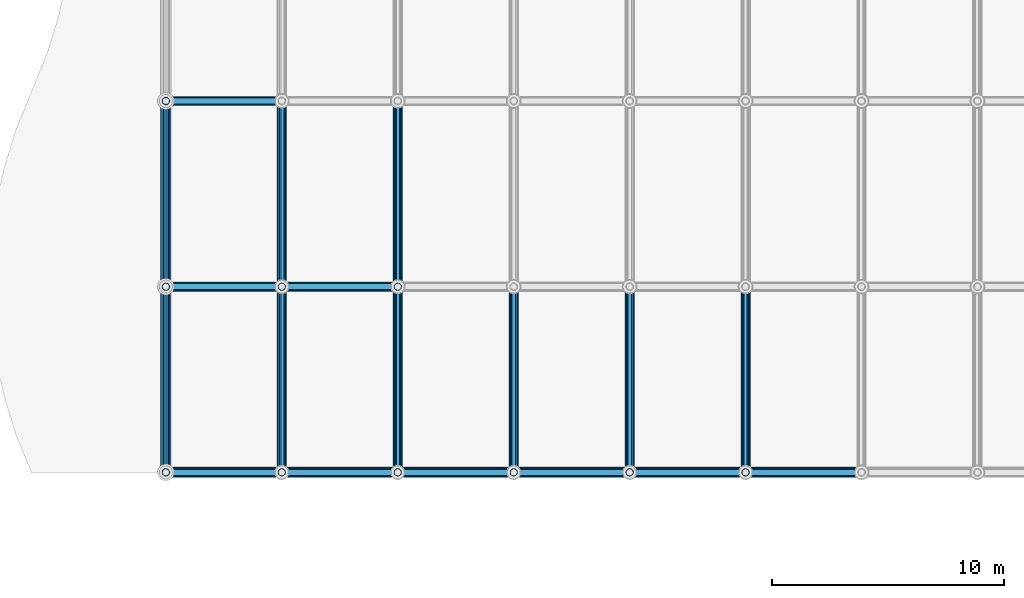
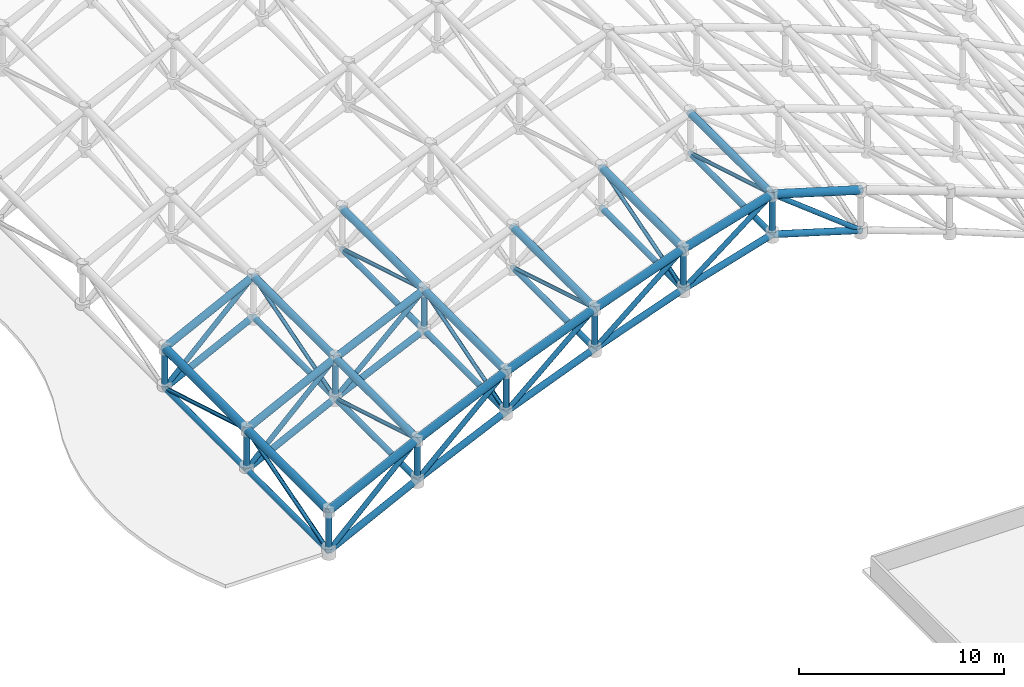
# One storey, part 1 of 11: 64 members.
"""IFC4 building model written with IfcOpenShell, lengths in metres."""

from ifc_helpers import new_model, si_unit, direction, frame, origin, origin_2d, place, context, subcontext, project, spatial, hollow_circle, extrude, material, material_profile, profile_set, type_object, element, save


model = new_model("IFC4")

# Units and contexts
model_context = context("Model", 3, precision=1e-05, world=origin(), true_north=direction((0.0, 1.0)))
body_context = subcontext(model_context, "Body", "Model", "MODEL_VIEW")
ifc_project = project(units=[si_unit("LENGTHUNIT", "METRE"), si_unit("AREAUNIT", "SQUARE_METRE"), si_unit("VOLUMEUNIT", "CUBIC_METRE"), si_unit("PLANEANGLEUNIT", "RADIAN"), si_unit("MASSUNIT", "GRAM", prefix="KILO")], contexts=[model_context])

# Site, building, storey
site_placement = place(None, origin())
site = spatial("IfcSite", under=ifc_project, at=site_placement, CompositionType="ELEMENT")
building_placement = place(site_placement, origin())
building = spatial("IfcBuilding", under=site, at=building_placement, Name="Kazehara Bluff Congress Hotel", CompositionType="ELEMENT")
storey_placement = place(building_placement, frame((0.0, 0.0, 50.39990234375)))
storey = spatial("IfcBuildingStorey", under=building, at=storey_placement, Name="RF", CompositionType="ELEMENT", Elevation=50.39990234375)

# Members
ifc_material_1 = material(Name="Steel STK490", Category="steel")
ifc_material_profile_1 = material_profile(ifc_material_1, hollow_circle(Radius=0.177734375, WallThickness=0.0126953125, at=origin_2d()))
ifc_profile_set_1 = profile_set([ifc_material_profile_1], Name="Steel STK490")
member_type_1 = type_object("IfcMemberType", Name="TP-SF-BC1", PredefinedType="CHORD", material=ifc_profile_set_1)
member_1_placement = place(storey_placement, frame((8.39990234375, 48.449951171875, -30.599853515625), z_axis=(0.894252293271, 0.0, 0.447563220093), x_axis=(0.0, 1.0, 0.0)))
element("IfcMember", 1, at=member_1_placement, inside=storey, type_object=member_type_1, Name="Congress roof space frame bottom arch chord 2", PredefinedType="CHORD", context=body_context, shape_type="SweptSolid", body=[
    extrude(hollow_circle(Radius=0.177734375, WallThickness=0.0126953125, at=origin_2d()), origin(), (0.0, 0.0, 1.0), 5.585693359375),
])
member_2_placement = place(storey_placement, frame((13.39501953125, 48.449951171875, -28.099853515625), z_axis=(0.908324180475, 0.0, 0.41826688031), x_axis=(0.0, 1.0, 0.0)))
element("IfcMember", 2, at=member_2_placement, inside=storey, type_object=member_type_1, Name="Congress roof space frame bottom arch chord 4", PredefinedType="CHORD", context=body_context, shape_type="SweptSolid", body=[
    extrude(hollow_circle(Radius=0.177734375, WallThickness=0.0126953125, at=origin_2d()), origin(), (0.0, 0.0, 1.0), 5.4990234375),
])
member_3_placement = place(storey_placement, frame((18.389892578125, 48.449951171875, -25.7998046875), z_axis=(0.928351468575, 0.0, 0.371703579207), x_axis=(0.0, 1.0, 0.0)))
element("IfcMember", 3, at=member_3_placement, inside=storey, type_object=member_type_1, Name="Congress roof space frame bottom arch chord 6", PredefinedType="CHORD", context=body_context, shape_type="SweptSolid", body=[
    extrude(hollow_circle(Radius=0.177734375, WallThickness=0.0126953125, at=origin_2d()), origin(), (0.0, 0.0, 1.0), 5.380615234375),
])
member_4_placement = place(storey_placement, frame((23.385009765625, 48.449951171875, -23.7998046875), z_axis=(0.940788303939, 0.0, 0.338994641803), x_axis=(0.0, 1.0, 0.0)))
element("IfcMember", 4, at=member_4_placement, inside=storey, type_object=member_type_1, Name="Congress roof space frame bottom arch chord 8", PredefinedType="CHORD", context=body_context, shape_type="SweptSolid", body=[
    extrude(hollow_circle(Radius=0.177734375, WallThickness=0.0126953125, at=origin_2d()), origin(), (0.0, 0.0, 1.0), 5.309326171875),
])
for number, where, z_axis, x_axis, name in (
    (5, (28.3798828125, 48.449951171875, -22.0), (0.957748948325, 0.0, 0.287605549292), (0.0, 1.0, 0.0), "Congress roof space frame bottom arch chord 10"),
    (6, (33.375, 48.449951171875, -20.5), (0.957748948325, 0.0, -0.287605549292), (0.0, 1.0, 0.0), "Congress roof space frame bottom arch chord 12"),
):
    element("IfcMember", number, at=place(storey_placement, frame(where, z_axis=z_axis, x_axis=x_axis)), inside=storey, type_object=member_type_1, Name=name, PredefinedType="CHORD", context=body_context, shape_type="SweptSolid", body=[
        extrude(hollow_circle(Radius=0.177734375, WallThickness=0.0126953125, at=origin_2d()), origin(), (0.0, 0.0, 1.0), 5.215576171875),
    ])
member_5_placement = place(storey_placement, frame((8.39990234375, 56.449951171875, -30.599853515625), z_axis=(0.894252293271, 0.0, 0.447563220093), x_axis=(0.0, 1.0, 0.0)))
element("IfcMember", 7, at=member_5_placement, inside=storey, type_object=member_type_1, Name="Congress roof space frame bottom arch chord 22", PredefinedType="CHORD", context=body_context, shape_type="SweptSolid", body=[
    extrude(hollow_circle(Radius=0.177734375, WallThickness=0.0126953125, at=origin_2d()), origin(), (0.0, 0.0, 1.0), 5.585693359375),
])
member_6_placement = place(storey_placement, frame((13.39501953125, 56.449951171875, -28.099853515625), z_axis=(0.908324180475, 0.0, 0.41826688031), x_axis=(0.0, 1.0, 0.0)))
element("IfcMember", 8, at=member_6_placement, inside=storey, type_object=member_type_1, Name="Congress roof space frame bottom arch chord 24", PredefinedType="CHORD", context=body_context, shape_type="SweptSolid", body=[
    extrude(hollow_circle(Radius=0.177734375, WallThickness=0.0126953125, at=origin_2d()), origin(), (0.0, 0.0, 1.0), 5.4990234375),
])
member_7_placement = place(storey_placement, frame((8.39990234375, 64.449951171875, -30.599853515625), z_axis=(0.894252293271, 0.0, 0.447563220093), x_axis=(0.0, 1.0, 0.0)))
element("IfcMember", 9, at=member_7_placement, inside=storey, type_object=member_type_1, Name="Congress roof space frame bottom arch chord 42", PredefinedType="CHORD", context=body_context, shape_type="SweptSolid", body=[
    extrude(hollow_circle(Radius=0.177734375, WallThickness=0.0126953125, at=origin_2d()), origin(), (0.0, 0.0, 1.0), 5.585693359375),
])
ifc_material_2 = material(Name="Steel STK490", Category="steel")
ifc_material_profile_2 = material_profile(ifc_material_2, hollow_circle(Radius=0.1591796875, WallThickness=0.01025390625, at=origin_2d()))
ifc_profile_set_2 = profile_set([ifc_material_profile_2], Name="Steel STK490")
member_type_2 = type_object("IfcMemberType", Name="TP-SF-BC2", PredefinedType="CHORD", material=ifc_profile_set_2)
for number, where, z_axis, x_axis, name in (
    (10, (8.39990234375, 48.449951171875, -30.599853515625), (0.0, 1.0, 0.0), (-1.0, 0.0, 0.0), "Congress roof space frame bottom longitudinal chord 182"),
    (11, (8.39990234375, 56.449951171875, -30.599853515625), (0.0, 1.0, 0.0), (-1.0, 0.0, 0.0), "Congress roof space frame bottom longitudinal chord 184"),
    (12, (13.39501953125, 48.449951171875, -28.099853515625), (0.0, 1.0, 0.0), (-1.0, 0.0, 0.0), "Congress roof space frame bottom longitudinal chord 198"),
    (13, (13.39501953125, 56.449951171875, -28.099853515625), (0.0, 1.0, 0.0), (-1.0, 0.0, 0.0), "Congress roof space frame bottom longitudinal chord 200"),
    (14, (18.389892578125, 48.449951171875, -25.7998046875), (0.0, 1.0, 0.0), (-1.0, 0.0, 0.0), "Congress roof space frame bottom longitudinal chord 214"),
    (15, (18.389892578125, 56.449951171875, -25.7998046875), (0.0, 1.0, 0.0), (-1.0, 0.0, 0.0), "Congress roof space frame bottom longitudinal chord 216"),
    (16, (23.385009765625, 48.449951171875, -23.7998046875), (0.0, 1.0, 0.0), (-1.0, 0.0, 0.0), "Congress roof space frame bottom longitudinal chord 230"),
    (17, (28.3798828125, 48.449951171875, -22.0), (0.0, 1.0, 0.0), (-1.0, 0.0, 0.0), "Congress roof space frame bottom longitudinal chord 246"),
    (18, (33.375, 48.449951171875, -20.5), (0.0, 1.0, 0.0), (-1.0, 0.0, 0.0), "Congress roof space frame bottom longitudinal chord 262"),
):
    element("IfcMember", number, at=place(storey_placement, frame(where, z_axis=z_axis, x_axis=x_axis)), inside=storey, type_object=member_type_2, Name=name, PredefinedType="CHORD", context=body_context, shape_type="SweptSolid", body=[
        extrude(hollow_circle(Radius=0.1591796875, WallThickness=0.01025390625, at=origin_2d()), origin(), (0.0, 0.0, 1.0), 8.0),
    ])
ifc_material_3 = material(Name="Steel STK490", Category="steel")
ifc_material_profile_3 = material_profile(ifc_material_3, hollow_circle(Radius=0.1337890625, WallThickness=0.00927734375, at=origin_2d()))
ifc_profile_set_3 = profile_set([ifc_material_profile_3], Name="Steel STK490")
member_type_3 = type_object("IfcMemberType", Name="TP-SF-DG1", PredefinedType="BRACE", material=ifc_profile_set_3)
member_8_placement = place(storey_placement, frame((8.39990234375, 48.449951171875, -30.599853515625), z_axis=(0.713877868379, 0.0, 0.700270225726), x_axis=(0.0, 1.0, 0.0)))
element("IfcMember", 19, at=member_8_placement, inside=storey, type_object=member_type_3, Name="Congress roof space frame arch web diagonal 456", PredefinedType="BRACE", context=body_context, shape_type="SweptSolid", body=[
    extrude(hollow_circle(Radius=0.1337890625, WallThickness=0.00927734375, at=origin_2d()), origin(), (0.0, 0.0, 1.0), 6.9970703125),
])
member_9_placement = place(storey_placement, frame((13.39501953125, 48.449951171875, -28.099853515625), z_axis=(0.728280456647, 0.0, 0.685279195997), x_axis=(0.0, 1.0, 0.0)))
element("IfcMember", 20, at=member_9_placement, inside=storey, type_object=member_type_3, Name="Congress roof space frame arch web diagonal 457", PredefinedType="BRACE", context=body_context, shape_type="SweptSolid", body=[
    extrude(hollow_circle(Radius=0.1337890625, WallThickness=0.00927734375, at=origin_2d()), origin(), (0.0, 0.0, 1.0), 6.8583984375),
])
member_10_placement = place(storey_placement, frame((18.389892578125, 48.449951171875, -25.7998046875), z_axis=(0.750400574845, 0.0, 0.660983341146), x_axis=(0.0, 1.0, 0.0)))
element("IfcMember", 21, at=member_10_placement, inside=storey, type_object=member_type_3, Name="Congress roof space frame arch web diagonal 458", PredefinedType="BRACE", context=body_context, shape_type="SweptSolid", body=[
    extrude(hollow_circle(Radius=0.1337890625, WallThickness=0.00927734375, at=origin_2d()), origin(), (0.0, 0.0, 1.0), 6.656494140625),
])
member_11_placement = place(storey_placement, frame((23.385009765625, 48.449951171875, -23.7998046875), z_axis=(0.765383445182, 0.0, 0.643574534799), x_axis=(0.0, 1.0, 0.0)))
element("IfcMember", 22, at=member_11_placement, inside=storey, type_object=member_type_3, Name="Congress roof space frame arch web diagonal 459", PredefinedType="BRACE", context=body_context, shape_type="SweptSolid", body=[
    extrude(hollow_circle(Radius=0.1337890625, WallThickness=0.00927734375, at=origin_2d()), origin(), (0.0, 0.0, 1.0), 6.52587890625),
])
for number, where, z_axis, x_axis, name in (
    (23, (28.3798828125, 48.449951171875, -22.0), (0.788199556762, 0.0, 0.6154197419), (0.0, 1.0, 0.0), "Congress roof space frame arch web diagonal 460"),
    (24, (33.375, 48.449951171875, -18.099853515625), (0.788199556762, 0.0, -0.6154197419), (0.0, 1.0, 0.0), "Congress roof space frame arch web diagonal 461"),
):
    element("IfcMember", number, at=place(storey_placement, frame(where, z_axis=z_axis, x_axis=x_axis)), inside=storey, type_object=member_type_3, Name=name, PredefinedType="BRACE", context=body_context, shape_type="SweptSolid", body=[
        extrude(hollow_circle(Radius=0.1337890625, WallThickness=0.00927734375, at=origin_2d()), origin(), (0.0, 0.0, 1.0), 6.33740234375),
    ])
member_12_placement = place(storey_placement, frame((8.39990234375, 56.449951171875, -30.599853515625), z_axis=(0.713877868379, 0.0, 0.700270225726), x_axis=(0.0, 1.0, 0.0)))
element("IfcMember", 25, at=member_12_placement, inside=storey, type_object=member_type_3, Name="Congress roof space frame arch web diagonal 466", PredefinedType="BRACE", context=body_context, shape_type="SweptSolid", body=[
    extrude(hollow_circle(Radius=0.1337890625, WallThickness=0.00927734375, at=origin_2d()), origin(), (0.0, 0.0, 1.0), 6.9970703125),
])
member_13_placement = place(storey_placement, frame((13.39501953125, 56.449951171875, -28.099853515625), z_axis=(0.728280456647, 0.0, 0.685279195997), x_axis=(0.0, 1.0, 0.0)))
element("IfcMember", 26, at=member_13_placement, inside=storey, type_object=member_type_3, Name="Congress roof space frame arch web diagonal 467", PredefinedType="BRACE", context=body_context, shape_type="SweptSolid", body=[
    extrude(hollow_circle(Radius=0.1337890625, WallThickness=0.00927734375, at=origin_2d()), origin(), (0.0, 0.0, 1.0), 6.8583984375),
])
member_14_placement = place(storey_placement, frame((8.39990234375, 64.449951171875, -30.599853515625), z_axis=(0.713877868379, 0.0, 0.700270225726), x_axis=(0.0, 1.0, 0.0)))
element("IfcMember", 27, at=member_14_placement, inside=storey, type_object=member_type_3, Name="Congress roof space frame arch web diagonal 476", PredefinedType="BRACE", context=body_context, shape_type="SweptSolid", body=[
    extrude(hollow_circle(Radius=0.1337890625, WallThickness=0.00927734375, at=origin_2d()), origin(), (0.0, 0.0, 1.0), 6.9970703125),
])
ifc_material_4 = material(Name="Steel STK490", Category="steel")
ifc_material_profile_4 = material_profile(ifc_material_4, hollow_circle(Radius=0.108154296875, WallThickness=0.00830078125, at=origin_2d()))
ifc_profile_set_4 = profile_set([ifc_material_profile_4], Name="Steel STK490")
member_type_4 = type_object("IfcMemberType", Name="TP-SF-DG2", PredefinedType="BRACE", material=ifc_profile_set_4)
for number, where, z_axis, x_axis, name in (
    (28, (8.39990234375, 48.449951171875, -30.599853515625), (0.0, 0.957829503213, 0.287337158709), (-1.0, 0.0, 0.0), "Congress roof space frame transverse web diagonal 546"),
    (29, (8.39990234375, 56.449951171875, -28.199951171875), (0.0, 0.957829503213, -0.287337158709), (-1.0, 0.0, 0.0), "Congress roof space frame transverse web diagonal 547"),
    (30, (13.39501953125, 48.449951171875, -25.699951171875), (0.0, 0.957829503213, -0.287337158709), (-1.0, 0.0, 0.0), "Congress roof space frame transverse web diagonal 554"),
    (31, (13.39501953125, 56.449951171875, -28.099853515625), (0.0, 0.957829503213, 0.287337158709), (-1.0, 0.0, 0.0), "Congress roof space frame transverse web diagonal 555"),
    (32, (18.389892578125, 48.449951171875, -25.7998046875), (0.0, 0.957829503213, 0.287337158709), (-1.0, 0.0, 0.0), "Congress roof space frame transverse web diagonal 562"),
    (33, (18.389892578125, 56.449951171875, -23.39990234375), (0.0, 0.957829503213, -0.287337158709), (-1.0, 0.0, 0.0), "Congress roof space frame transverse web diagonal 563"),
    (34, (23.385009765625, 48.449951171875, -21.39990234375), (0.0, 0.957829503213, -0.287337158709), (-1.0, 0.0, 0.0), "Congress roof space frame transverse web diagonal 570"),
    (35, (28.3798828125, 48.449951171875, -22.0), (0.0, 0.957821458049, 0.287363975649), (-1.0, 0.0, 0.0), "Congress roof space frame transverse web diagonal 578"),
    (36, (33.375, 48.449951171875, -18.099853515625), (0.0, 0.957821458049, -0.287363975649), (-1.0, 0.0, 0.0), "Congress roof space frame transverse web diagonal 586"),
):
    element("IfcMember", number, at=place(storey_placement, frame(where, z_axis=z_axis, x_axis=x_axis)), inside=storey, type_object=member_type_4, Name=name, PredefinedType="BRACE", context=body_context, shape_type="SweptSolid", body=[
        extrude(hollow_circle(Radius=0.108154296875, WallThickness=0.00830078125, at=origin_2d()), origin(), (0.0, 0.0, 1.0), 8.352294921875),
    ])
ifc_material_5 = material(Name="Steel STK490", Category="steel")
ifc_material_profile_5 = material_profile(ifc_material_5, hollow_circle(Radius=0.1591796875, WallThickness=0.01025390625, at=origin_2d()))
ifc_profile_set_5 = profile_set([ifc_material_profile_5], Name="Steel STK490")
member_type_5 = type_object("IfcMemberType", Name="TP-SF-PS1", PredefinedType="POST", material=ifc_profile_set_5)
for number, where, z_axis, x_axis, name in (
    (37, (8.39990234375, 48.449951171875, -30.599853515625), (0.0, 0.0, 1.0), (1.0, 0.0, 0.0), "Congress roof space frame vertical post 357"),
    (38, (8.39990234375, 56.449951171875, -30.599853515625), (0.0, 0.0, 1.0), (1.0, 0.0, 0.0), "Congress roof space frame vertical post 358"),
    (39, (8.39990234375, 64.449951171875, -30.599853515625), (0.0, 0.0, 1.0), (1.0, 0.0, 0.0), "Congress roof space frame vertical post 359"),
    (40, (13.39501953125, 48.449951171875, -28.099853515625), (0.0, 0.0, 1.0), (1.0, 0.0, 0.0), "Congress roof space frame vertical post 366"),
    (41, (13.39501953125, 56.449951171875, -28.099853515625), (0.0, 0.0, 1.0), (1.0, 0.0, 0.0), "Congress roof space frame vertical post 367"),
    (42, (18.389892578125, 48.449951171875, -25.7998046875), (0.0, 0.0, 1.0), (1.0, 0.0, 0.0), "Congress roof space frame vertical post 375"),
    (43, (18.389892578125, 56.449951171875, -25.7998046875), (0.0, 0.0, 1.0), (1.0, 0.0, 0.0), "Congress roof space frame vertical post 376"),
    (44, (23.385009765625, 48.449951171875, -23.7998046875), (0.0, 0.0, 1.0), (1.0, 0.0, 0.0), "Congress roof space frame vertical post 384"),
):
    element("IfcMember", number, at=place(storey_placement, frame(where, z_axis=z_axis, x_axis=x_axis)), inside=storey, type_object=member_type_5, Name=name, PredefinedType="POST", context=body_context, shape_type="SweptSolid", body=[
        extrude(hollow_circle(Radius=0.1591796875, WallThickness=0.01025390625, at=origin_2d()), origin(), (0.0, 0.0, 1.0), 2.39990234375),
    ])
for number, where, z_axis, x_axis, name in (
    (45, (28.3798828125, 48.449951171875, -22.0), (0.0, 0.0, 1.0), (1.0, 0.0, 0.0), "Congress roof space frame vertical post 393"),
    (46, (33.375, 48.449951171875, -20.5), (0.0, 0.0, 1.0), (1.0, 0.0, 0.0), "Congress roof space frame vertical post 402"),
):
    element("IfcMember", number, at=place(storey_placement, frame(where, z_axis=z_axis, x_axis=x_axis)), inside=storey, type_object=member_type_5, Name=name, PredefinedType="POST", context=body_context, shape_type="SweptSolid", body=[
        extrude(hollow_circle(Radius=0.1591796875, WallThickness=0.01025390625, at=origin_2d()), origin(), (0.0, 0.0, 1.0), 2.400146484375),
    ])
ifc_material_6 = material(Name="Steel STK490", Category="steel")
ifc_material_profile_6 = material_profile(ifc_material_6, hollow_circle(Radius=0.203125, WallThickness=0.0126953125, at=origin_2d()))
ifc_profile_set_6 = profile_set([ifc_material_profile_6], Name="Steel STK490")
member_type_6 = type_object("IfcMemberType", Name="TP-SF-TC1", PredefinedType="CHORD", material=ifc_profile_set_6)
member_15_placement = place(storey_placement, frame((8.39990234375, 56.449951171875, -28.199951171875), z_axis=(0.894252293271, 0.0, 0.447563220093), x_axis=(0.0, 1.0, 0.0)))
element("IfcMember", 47, at=member_15_placement, inside=storey, type_object=member_type_6, Name="Congress roof space frame top arch chord 21", PredefinedType="CHORD", context=body_context, shape_type="SweptSolid", body=[
    extrude(hollow_circle(Radius=0.203125, WallThickness=0.0126953125, at=origin_2d()), origin(), (0.0, 0.0, 1.0), 5.585693359375),
])
member_16_placement = place(storey_placement, frame((13.39501953125, 56.449951171875, -25.699951171875), z_axis=(0.908324180475, 0.0, 0.41826688031), x_axis=(0.0, 1.0, 0.0)))
element("IfcMember", 48, at=member_16_placement, inside=storey, type_object=member_type_6, Name="Congress roof space frame top arch chord 23", PredefinedType="CHORD", context=body_context, shape_type="SweptSolid", body=[
    extrude(hollow_circle(Radius=0.203125, WallThickness=0.0126953125, at=origin_2d()), origin(), (0.0, 0.0, 1.0), 5.4990234375),
])
member_17_placement = place(storey_placement, frame((8.39990234375, 64.449951171875, -28.199951171875), z_axis=(0.894252293271, 0.0, 0.447563220093), x_axis=(0.0, 1.0, 0.0)))
element("IfcMember", 49, at=member_17_placement, inside=storey, type_object=member_type_6, Name="Congress roof space frame top arch chord 41", PredefinedType="CHORD", context=body_context, shape_type="SweptSolid", body=[
    extrude(hollow_circle(Radius=0.203125, WallThickness=0.0126953125, at=origin_2d()), origin(), (0.0, 0.0, 1.0), 5.585693359375),
])
for number, where, z_axis, x_axis, name in (
    (50, (13.39501953125, 48.449951171875, -25.699951171875), (0.0, 1.0, 0.0), (-1.0, 0.0, 0.0), "Congress roof space frame top longitudinal chord 197"),
    (51, (13.39501953125, 56.449951171875, -25.699951171875), (0.0, 1.0, 0.0), (-1.0, 0.0, 0.0), "Congress roof space frame top longitudinal chord 199"),
    (52, (18.389892578125, 48.449951171875, -23.39990234375), (0.0, 1.0, 0.0), (-1.0, 0.0, 0.0), "Congress roof space frame top longitudinal chord 213"),
    (53, (18.389892578125, 56.449951171875, -23.39990234375), (0.0, 1.0, 0.0), (-1.0, 0.0, 0.0), "Congress roof space frame top longitudinal chord 215"),
    (54, (23.385009765625, 48.449951171875, -21.39990234375), (0.0, 1.0, 0.0), (-1.0, 0.0, 0.0), "Congress roof space frame top longitudinal chord 229"),
    (55, (28.3798828125, 48.449951171875, -19.599853515625), (0.0, 1.0, 0.0), (-1.0, 0.0, 0.0), "Congress roof space frame top longitudinal chord 245"),
    (56, (33.375, 48.449951171875, -18.099853515625), (0.0, 1.0, 0.0), (-1.0, 0.0, 0.0), "Congress roof space frame top longitudinal chord 261"),
):
    element("IfcMember", number, at=place(storey_placement, frame(where, z_axis=z_axis, x_axis=x_axis)), inside=storey, type_object=member_type_6, Name=name, PredefinedType="CHORD", context=body_context, shape_type="SweptSolid", body=[
        extrude(hollow_circle(Radius=0.203125, WallThickness=0.0126953125, at=origin_2d()), origin(), (0.0, 0.0, 1.0), 8.0),
    ])
ifc_material_7 = material(Name="Steel STK490", Category="steel")
ifc_material_profile_7 = material_profile(ifc_material_7, hollow_circle(Radius=0.228515625, WallThickness=0.013916015625, at=origin_2d()))
ifc_profile_set_7 = profile_set([ifc_material_profile_7], Name="Steel STK490")
member_type_7 = type_object("IfcMemberType", Name="TP-SF-TC2", PredefinedType="CHORD", material=ifc_profile_set_7)
member_18_placement = place(storey_placement, frame((8.39990234375, 48.449951171875, -28.199951171875), z_axis=(0.894252293271, 0.0, 0.447563220093), x_axis=(0.0, 1.0, 0.0)))
element("IfcMember", 57, at=member_18_placement, inside=storey, type_object=member_type_7, Name="Congress roof space frame top arch chord 1", PredefinedType="CHORD", context=body_context, shape_type="SweptSolid", body=[
    extrude(hollow_circle(Radius=0.228515625, WallThickness=0.013916015625, at=origin_2d()), origin(), (0.0, 0.0, 1.0), 5.585693359375),
])
member_19_placement = place(storey_placement, frame((13.39501953125, 48.449951171875, -25.699951171875), z_axis=(0.908324180475, 0.0, 0.41826688031), x_axis=(0.0, 1.0, 0.0)))
element("IfcMember", 58, at=member_19_placement, inside=storey, type_object=member_type_7, Name="Congress roof space frame top arch chord 3", PredefinedType="CHORD", context=body_context, shape_type="SweptSolid", body=[
    extrude(hollow_circle(Radius=0.228515625, WallThickness=0.013916015625, at=origin_2d()), origin(), (0.0, 0.0, 1.0), 5.4990234375),
])
member_20_placement = place(storey_placement, frame((18.389892578125, 48.449951171875, -23.39990234375), z_axis=(0.928351468575, 0.0, 0.371703579207), x_axis=(0.0, 1.0, 0.0)))
element("IfcMember", 59, at=member_20_placement, inside=storey, type_object=member_type_7, Name="Congress roof space frame top arch chord 5", PredefinedType="CHORD", context=body_context, shape_type="SweptSolid", body=[
    extrude(hollow_circle(Radius=0.228515625, WallThickness=0.013916015625, at=origin_2d()), origin(), (0.0, 0.0, 1.0), 5.380615234375),
])
member_21_placement = place(storey_placement, frame((23.385009765625, 48.449951171875, -21.39990234375), z_axis=(0.940773637944, 0.0, 0.339035340562), x_axis=(0.0, 1.0, 0.0)))
element("IfcMember", 60, at=member_21_placement, inside=storey, type_object=member_type_7, Name="Congress roof space frame top arch chord 7", PredefinedType="CHORD", context=body_context, shape_type="SweptSolid", body=[
    extrude(hollow_circle(Radius=0.228515625, WallThickness=0.013916015625, at=origin_2d()), origin(), (0.0, 0.0, 1.0), 5.309326171875),
])
for number, where, z_axis, x_axis, name in (
    (61, (28.3798828125, 48.449951171875, -19.599853515625), (0.957748948325, 0.0, 0.287605549292), (0.0, 1.0, 0.0), "Congress roof space frame top arch chord 9"),
    (62, (33.375, 48.449951171875, -18.099853515625), (0.957748948325, 0.0, -0.287605549292), (0.0, 1.0, 0.0), "Congress roof space frame top arch chord 11"),
):
    element("IfcMember", number, at=place(storey_placement, frame(where, z_axis=z_axis, x_axis=x_axis)), inside=storey, type_object=member_type_7, Name=name, PredefinedType="CHORD", context=body_context, shape_type="SweptSolid", body=[
        extrude(hollow_circle(Radius=0.228515625, WallThickness=0.013916015625, at=origin_2d()), origin(), (0.0, 0.0, 1.0), 5.215576171875),
    ])
for number, where, z_axis, x_axis, name in (
    (63, (8.39990234375, 48.449951171875, -28.199951171875), (0.0, 1.0, 0.0), (-1.0, 0.0, 0.0), "Congress roof space frame top longitudinal chord 181"),
    (64, (8.39990234375, 56.449951171875, -28.199951171875), (0.0, 1.0, 0.0), (-1.0, 0.0, 0.0), "Congress roof space frame top longitudinal chord 183"),
):
    element("IfcMember", number, at=place(storey_placement, frame(where, z_axis=z_axis, x_axis=x_axis)), inside=storey, type_object=member_type_7, Name=name, PredefinedType="CHORD", context=body_context, shape_type="SweptSolid", body=[
        extrude(hollow_circle(Radius=0.228515625, WallThickness=0.013916015625, at=origin_2d()), origin(), (0.0, 0.0, 1.0), 8.0),
    ])

save(model, "model.ifc")
